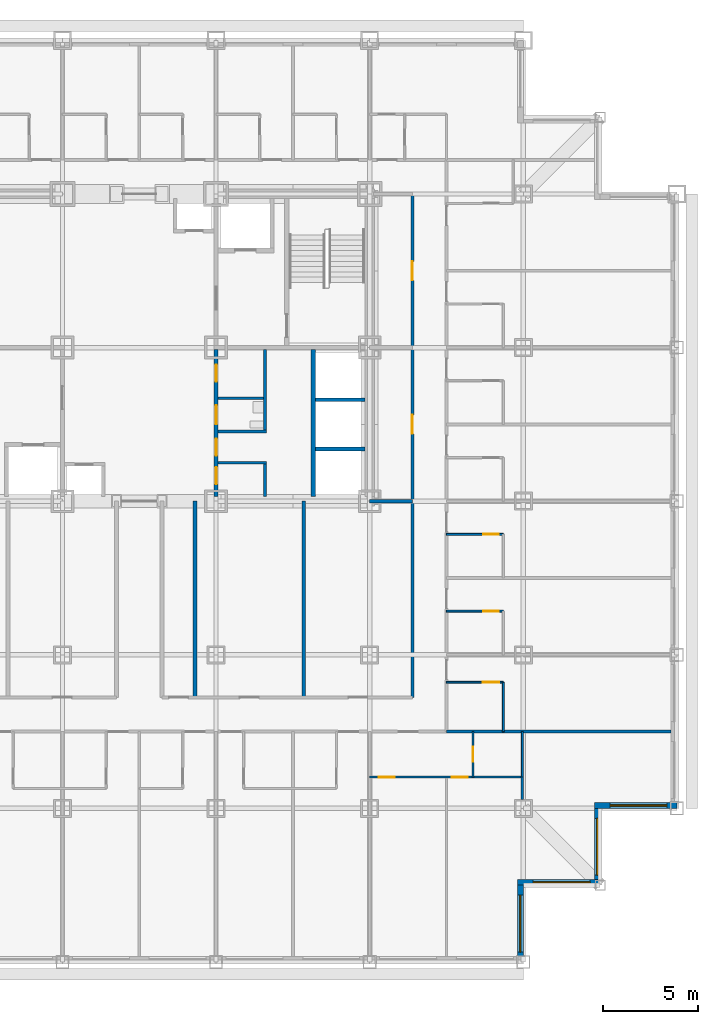
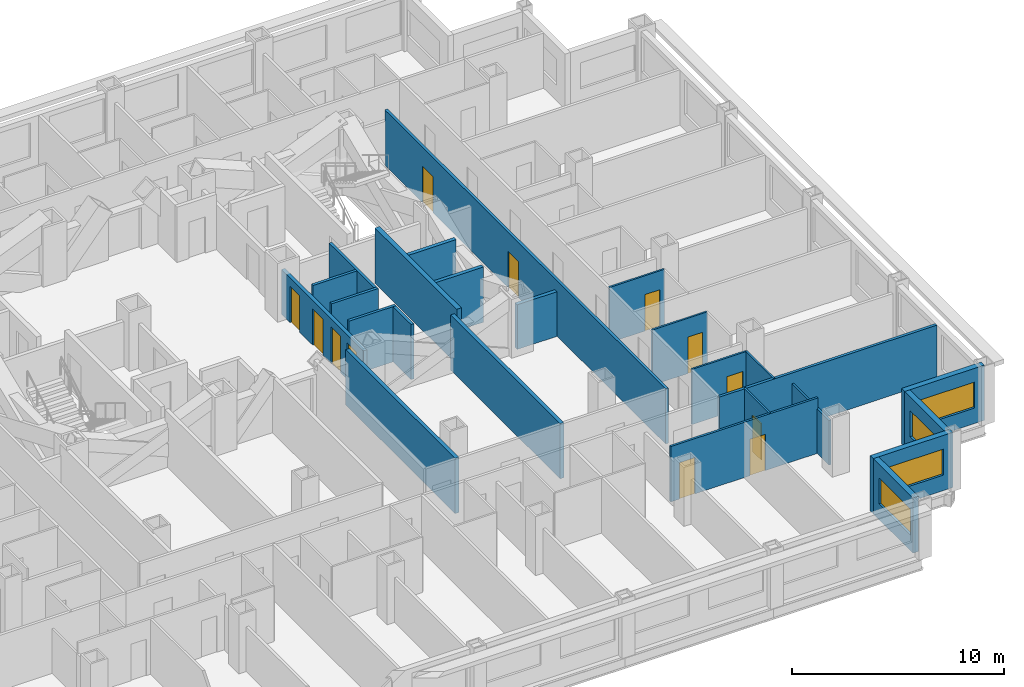
# One storey, part 6 of 12: 26 walls, 12 doors, 4 windows, 16 openings.
"""IFC4 building model written with IfcOpenShell, lengths in metres."""

from ifc_helpers import new_model, si_unit, direction, frame, frame_2d, origin, place, context, subcontext, project, spatial, rectangle, extrude, material, layer, layer_set, type_object, element, fill, save


model = new_model("IFC4")

# Units and contexts
model_context = context("Model", 3, precision=1e-05, world=origin(), true_north=direction((0.0, 1.0)))
body_context = subcontext(model_context, "Body", "Model", "MODEL_VIEW")
ifc_project = project(units=[si_unit("LENGTHUNIT", "METRE"), si_unit("AREAUNIT", "SQUARE_METRE"), si_unit("VOLUMEUNIT", "CUBIC_METRE"), si_unit("PLANEANGLEUNIT", "RADIAN"), si_unit("MASSUNIT", "GRAM", prefix="KILO")], contexts=[model_context])

# Site, building, storey
site_placement = place(None, origin())
site = spatial("IfcSite", under=ifc_project, at=site_placement, CompositionType="ELEMENT")
building_placement = place(site_placement, origin())
building = spatial("IfcBuilding", under=site, at=building_placement, Name="Kopane Lantern Tower", CompositionType="ELEMENT")
storey_placement = place(building_placement, frame((0.0, 0.0, 53.39990234375)))
storey = spatial("IfcBuildingStorey", under=building, at=storey_placement, Name="L12", CompositionType="ELEMENT", Elevation=53.39990234375)

# Wall, openings, doors
ifc_material_1 = material(Name="Gypsum board on steel studs", Category="steel")
ifc_layer_1 = layer(ifc_material_1, 0.1201171875)
ifc_layer_set_1 = layer_set([ifc_layer_1], Name="APARTMENT INTERNAL WALL 120")
wall_type_1 = type_object("IfcWallType", Name="APARTMENT INTERNAL WALL 120", PredefinedType="PARTITIONING", material=ifc_layer_set_1)
wall_1_placement = place(storey_placement, frame((40.5, 9.75, 0.0), z_axis=(0.0, 0.0, 1.0), x_axis=(1.0, 0.0, 0.0)))
wall_1 = element("IfcWall", 1, at=wall_1_placement, inside=storey, type_object=wall_type_1, Name="Apartment Internal Wall 120 L12", PredefinedType="PARTITIONING", context=body_context, shape_type="SweptSolid", body=[
    extrude(rectangle(XDim=8.050048828125, YDim=0.1201171875, at=frame_2d((4.02490234375, 0.0))), origin(), (0.0, 0.0, 1.0), 3.190185546875),
])
opening_1_placement = place(wall_1_placement, frame((0.47509765625, 0.0, 0.0)))
opening_1 = element("IfcOpeningElement", 2, at=opening_1_placement, cuts=wall_1, Name="Opening L12-067", PredefinedType="OPENING", context=body_context, shape_type="SweptSolid", body=[
    extrude(rectangle(XDim=0.85009765625, YDim=2.10009765625, at=frame_2d((0.425048828125, 1.050048828125))), frame((0.0, 0.070068359375, 0.0), z_axis=(0.0, -1.0, 0.0), x_axis=(1.0, 0.0, 0.0)), (0.0, 0.0, 1.0), 0.14013671875),
])
opening_2_placement = place(wall_1_placement, frame((4.324951171875, 0.0, 0.0)))
opening_2 = element("IfcOpeningElement", 3, at=opening_2_placement, cuts=wall_1, Name="Opening L12-069", PredefinedType="OPENING", context=body_context, shape_type="SweptSolid", body=[
    extrude(rectangle(XDim=0.85009765625, YDim=2.10009765625, at=frame_2d((0.425048828125, 1.050048828125))), frame((0.0, 0.070068359375, 0.0), z_axis=(0.0, -1.0, 0.0), x_axis=(1.0, 0.0, 0.0)), (0.0, 0.0, 1.0), 0.14013671875),
])
ifc_material_2 = material(Name="Timber door set", Category="wood")
door_type_1 = type_object("IfcDoorType", Name="DOOR D4 850x2100", OperationType="SINGLE_SWING_LEFT", PredefinedType="DOOR", material=ifc_material_2)
door_1_placement = place(opening_1_placement, origin())
door_1 = element("IfcDoor", 4, at=door_1_placement, inside=storey, type_object=door_type_1, Name="Door L12-067", OperationType="SINGLE_SWING_LEFT", OverallHeight=2.10009765625, OverallWidth=0.85009765625, PredefinedType="DOOR", context=body_context, shape_type="SweptSolid", body=[
    extrude(rectangle(XDim=0.85009765625, YDim=2.10009765625, at=frame_2d((0.425048828125, 1.050048828125))), frame((0.0, 0.02490234375, 0.0), z_axis=(0.0, -1.0, 0.0), x_axis=(1.0, 0.0, 0.0)), (0.0, 0.0, 1.0), 0.050048828125),
])
fill(opening_1, door_1)
door_2_placement = place(opening_2_placement, origin())
door_2 = element("IfcDoor", 5, at=door_2_placement, inside=storey, type_object=door_type_1, Name="Door L12-069", OperationType="SINGLE_SWING_RIGHT", OverallHeight=2.10009765625, OverallWidth=0.85009765625, PredefinedType="DOOR", context=body_context, shape_type="SweptSolid", body=[
    extrude(rectangle(XDim=0.85009765625, YDim=2.10009765625, at=frame_2d((0.425048828125, 1.050048828125))), frame((0.0, 0.02490234375, 0.0), z_axis=(0.0, -1.0, 0.0), x_axis=(1.0, 0.0, 0.0)), (0.0, 0.0, 1.0), 0.050048828125),
])
fill(opening_2, door_2)

# Walls
wall_2_placement = place(storey_placement, frame((48.550048828125, 9.75, 0.0), z_axis=(0.0, 0.0, 1.0), x_axis=(0.0, -1.0, 0.0)))
element("IfcWall", 6, at=wall_2_placement, inside=storey, type_object=wall_type_1, Name="Apartment Internal Wall 120 L12", PredefinedType="PARTITIONING", context=body_context, shape_type="SweptSolid", body=[
    extrude(rectangle(XDim=1.175048828125, YDim=0.1201171875, at=frame_2d((0.58740234375, 0.0))), origin(), (0.0, 0.0, 1.0), 2.577880859375),
])
ifc_material_3 = material(Name="Moisture-resistant board on steel studs", Category="steel")
ifc_layer_2 = layer(ifc_material_3, 0.10009765625)
ifc_layer_set_2 = layer_set([ifc_layer_2], Name="BATHROOM WALL 100")
wall_type_2 = type_object("IfcWallType", Name="BATHROOM WALL 100", PredefinedType="PARTITIONING", material=ifc_layer_set_2)
wall_3_placement = place(storey_placement, frame((47.550048828125, 12.14990234375, 0.0), z_axis=(0.0, 0.0, 1.0), x_axis=(0.0, 1.0, 0.0)))
element("IfcWall", 7, at=wall_3_placement, inside=storey, type_object=wall_type_2, Name="Bathroom Wall 100 L12", PredefinedType="PARTITIONING", context=body_context, shape_type="SweptSolid", body=[
    extrude(rectangle(XDim=2.60009765625, YDim=0.10009765625, at=frame_2d((1.300048828125, 0.0))), origin(), (0.0, 0.0, 1.0), 3.190185546875),
])

# Wall, opening, door
wall_4_placement = place(storey_placement, frame((44.550048828125, 14.75, 0.0), z_axis=(0.0, 0.0, 1.0), x_axis=(1.0, 0.0, 0.0)))
wall_4 = element("IfcWall", 8, at=wall_4_placement, inside=storey, type_object=wall_type_2, Name="Bathroom Wall 100 L12", PredefinedType="PARTITIONING", context=body_context, shape_type="SweptSolid", body=[
    extrude(rectangle(XDim=3.0, YDim=0.10009765625, at=frame_2d((1.5, 0.0))), origin(), (0.0, 0.0, 1.0), 3.190185546875),
])
opening_3_placement = place(wall_4_placement, frame((1.925048828125, 0.0, 0.0)))
opening_3 = element("IfcOpeningElement", 9, at=opening_3_placement, cuts=wall_4, Name="Opening L12-048", PredefinedType="OPENING", context=body_context, shape_type="SweptSolid", body=[
    extrude(rectangle(XDim=0.85009765625, YDim=2.10009765625, at=frame_2d((0.425048828125, 1.050048828125))), frame((0.0, 0.06005859375, 0.0), z_axis=(0.0, -1.0, 0.0), x_axis=(1.0, 0.0, 0.0)), (0.0, 0.0, 1.0), 0.1201171875),
])
door_3_placement = place(opening_3_placement, origin())
door_3 = element("IfcDoor", 10, at=door_3_placement, inside=storey, type_object=door_type_1, Name="Door L12-048", OperationType="SINGLE_SWING_LEFT", OverallHeight=2.10009765625, OverallWidth=0.85009765625, PredefinedType="DOOR", context=body_context, shape_type="SweptSolid", body=[
    extrude(rectangle(XDim=0.85009765625, YDim=2.10009765625, at=frame_2d((0.425048828125, 1.050048828125))), frame((0.0, 0.02490234375, 0.0), z_axis=(0.0, -1.0, 0.0), x_axis=(1.0, 0.0, 0.0)), (0.0, 0.0, 1.0), 0.050048828125),
])
fill(opening_3, door_3)

wall_5_placement = place(storey_placement, frame((44.550048828125, 18.5, 0.0), z_axis=(0.0, 0.0, 1.0), x_axis=(1.0, 0.0, 0.0)))
wall_5 = element("IfcWall", 11, at=wall_5_placement, inside=storey, type_object=wall_type_2, Name="Bathroom Wall 100 L12", PredefinedType="PARTITIONING", context=body_context, shape_type="SweptSolid", body=[
    extrude(rectangle(XDim=3.0, YDim=0.10009765625, at=frame_2d((1.5, 0.0))), origin(), (0.0, 0.0, 1.0), 3.190185546875),
])
opening_4_placement = place(wall_5_placement, frame((1.949951171875, 0.0, 0.0)))
opening_4 = element("IfcOpeningElement", 12, at=opening_4_placement, cuts=wall_5, Name="Opening L12-050", PredefinedType="OPENING", context=body_context, shape_type="SweptSolid", body=[
    extrude(rectangle(XDim=0.800048828125, YDim=2.10009765625, at=frame_2d((0.39990234375, 1.050048828125))), frame((0.0, 0.06005859375, 0.0), z_axis=(0.0, -1.0, 0.0), x_axis=(1.0, 0.0, 0.0)), (0.0, 0.0, 1.0), 0.1201171875),
])
ifc_material_4 = material(Name="Timber door set", Category="wood")
door_type_2 = type_object("IfcDoorType", Name="DOOR D2 800x2100", OperationType="SINGLE_SWING_LEFT", PredefinedType="DOOR", material=ifc_material_4)
door_4_placement = place(opening_4_placement, origin())
door_4 = element("IfcDoor", 13, at=door_4_placement, inside=storey, type_object=door_type_2, Name="Door L12-050", OperationType="SINGLE_SWING_LEFT", OverallHeight=2.10009765625, OverallWidth=0.800048828125, PredefinedType="DOOR", context=body_context, shape_type="SweptSolid", body=[
    extrude(rectangle(XDim=0.800048828125, YDim=2.10009765625, at=frame_2d((0.39990234375, 1.050048828125))), frame((0.0, 0.02490234375, 0.0), z_axis=(0.0, -1.0, 0.0), x_axis=(1.0, 0.0, 0.0)), (0.0, 0.0, 1.0), 0.050048828125),
])
fill(opening_4, door_4)

wall_6_placement = place(storey_placement, frame((44.550048828125, 22.550048828125, 0.0), z_axis=(0.0, 0.0, 1.0), x_axis=(1.0, 0.0, 0.0)))
wall_6 = element("IfcWall", 14, at=wall_6_placement, inside=storey, type_object=wall_type_2, Name="Bathroom Wall 100 L12", PredefinedType="PARTITIONING", context=body_context, shape_type="SweptSolid", body=[
    extrude(rectangle(XDim=3.0, YDim=0.10009765625, at=frame_2d((1.5, 0.0))), origin(), (0.0, 0.0, 1.0), 3.190185546875),
])
opening_5_placement = place(wall_6_placement, frame((1.949951171875, 0.0, 0.0)))
opening_5 = element("IfcOpeningElement", 15, at=opening_5_placement, cuts=wall_6, Name="Opening L12-052", PredefinedType="OPENING", context=body_context, shape_type="SweptSolid", body=[
    extrude(rectangle(XDim=0.800048828125, YDim=2.10009765625, at=frame_2d((0.39990234375, 1.050048828125))), frame((0.0, 0.06005859375, 0.0), z_axis=(0.0, -1.0, 0.0), x_axis=(1.0, 0.0, 0.0)), (0.0, 0.0, 1.0), 0.1201171875),
])
door_5_placement = place(opening_5_placement, origin())
door_5 = element("IfcDoor", 16, at=door_5_placement, inside=storey, type_object=door_type_2, Name="Door L12-052", OperationType="SINGLE_SWING_LEFT", OverallHeight=2.10009765625, OverallWidth=0.800048828125, PredefinedType="DOOR", context=body_context, shape_type="SweptSolid", body=[
    extrude(rectangle(XDim=0.800048828125, YDim=2.10009765625, at=frame_2d((0.39990234375, 1.050048828125))), frame((0.0, 0.02490234375, 0.0), z_axis=(0.0, -1.0, 0.0), x_axis=(1.0, 0.0, 0.0)), (0.0, 0.0, 1.0), 0.050048828125),
])
fill(opening_5, door_5)

wall_7_placement = place(storey_placement, frame((45.949951171875, 12.14990234375, 0.0), z_axis=(0.0, 0.0, 1.0), x_axis=(0.0, -1.0, 0.0)))
wall_7 = element("IfcWall", 17, at=wall_7_placement, inside=storey, type_object=wall_type_2, Name="Bathroom Wall 100 L12", PredefinedType="PARTITIONING", context=body_context, shape_type="SweptSolid", body=[
    extrude(rectangle(XDim=2.39990234375, YDim=0.10009765625, at=frame_2d((1.199951171875, 0.0))), origin(), (0.0, 0.0, 1.0), 3.190185546875),
])
opening_6_placement = place(wall_7_placement, frame((0.800048828125, 0.0, 0.0)))
opening_6 = element("IfcOpeningElement", 18, at=opening_6_placement, cuts=wall_7, Name="Opening L12-068", PredefinedType="OPENING", context=body_context, shape_type="SweptSolid", body=[
    extrude(rectangle(XDim=0.800048828125, YDim=2.10009765625, at=frame_2d((0.39990234375, 1.050048828125))), frame((0.0, 0.06005859375, 0.0), z_axis=(0.0, -1.0, 0.0), x_axis=(1.0, 0.0, 0.0)), (0.0, 0.0, 1.0), 0.1201171875),
])
door_6_placement = place(opening_6_placement, origin())
door_6 = element("IfcDoor", 19, at=door_6_placement, inside=storey, type_object=door_type_2, Name="Door L12-068", OperationType="SINGLE_SWING_LEFT", OverallHeight=2.10009765625, OverallWidth=0.800048828125, PredefinedType="DOOR", context=body_context, shape_type="SweptSolid", body=[
    extrude(rectangle(XDim=0.800048828125, YDim=2.10009765625, at=frame_2d((0.39990234375, 1.050048828125))), frame((0.0, 0.02490234375, 0.0), z_axis=(0.0, -1.0, 0.0), x_axis=(1.0, 0.0, 0.0)), (0.0, 0.0, 1.0), 0.050048828125),
])
fill(opening_6, door_6)

# Walls
wall_8_placement = place(storey_placement, frame((48.550048828125, 12.14990234375, 0.0), z_axis=(0.0, 0.0, 1.0), x_axis=(0.0, -1.0, 0.0)))
element("IfcWall", 20, at=wall_8_placement, inside=storey, type_object=wall_type_2, Name="Bathroom Wall 100 L12", PredefinedType="PARTITIONING", context=body_context, shape_type="SweptSolid", body=[
    extrude(rectangle(XDim=2.39990234375, YDim=0.10009765625, at=frame_2d((1.199951171875, 0.0))), origin(), (0.0, 0.0, 1.0), 2.577880859375),
])
ifc_material_5 = material(Name="Gypsum partition EI 60", Category="gypsum")
ifc_layer_3 = layer(ifc_material_5, 0.14990234375)
ifc_layer_set_3 = layer_set([ifc_layer_3], Name="CORE ROOM PARTITION 150 EI 60")
wall_type_3 = type_object("IfcWallType", Name="CORE ROOM PARTITION 150 EI 60", PredefinedType="PARTITIONING", material=ifc_layer_set_3)
for number, where, z_axis, x_axis, name in (
    (21, (32.5, 26.324951171875, 0.0), (0.0, 0.0, 1.0), (1.0, 0.0, 0.0), "Core room partition L12 E1"),
    (22, (32.5, 27.97509765625, 0.0), (0.0, 0.0, 1.0), (1.0, 0.0, 0.0), "Core room partition L12 E2"),
):
    element("IfcWall", number, at=place(storey_placement, frame(where, z_axis=z_axis, x_axis=x_axis)), inside=storey, type_object=wall_type_3, Name=name, PredefinedType="PARTITIONING", context=body_context, shape_type="SweptSolid", body=[
        extrude(rectangle(XDim=2.550048828125, YDim=0.14990234375, at=frame_2d((1.27490234375, 0.0))), origin(), (0.0, 0.0, 1.0), 3.190185546875),
    ])
wall_9_placement = place(storey_placement, frame((32.5, 29.72509765625, 0.0), z_axis=(0.0, 0.0, 1.0), x_axis=(1.0, 0.0, 0.0)))
element("IfcWall", 23, at=wall_9_placement, inside=storey, type_object=wall_type_3, Name="Core room partition L12 E3", PredefinedType="PARTITIONING", context=body_context, shape_type="SweptSolid", body=[
    extrude(rectangle(XDim=2.39990234375, YDim=0.14990234375, at=frame_2d((1.199951171875, 0.0))), origin(), (0.0, 0.0, 1.0), 3.190185546875),
])
wall_10_placement = place(storey_placement, frame((34.97509765625, 24.550048828125, 0.0), z_axis=(0.0, 0.0, 1.0), x_axis=(0.0, 1.0, 0.0)))
element("IfcWall", 24, at=wall_10_placement, inside=storey, type_object=wall_type_3, Name="Core room partition L12 EB0", PredefinedType="PARTITIONING", context=body_context, shape_type="SweptSolid", body=[
    extrude(rectangle(XDim=1.699951171875, YDim=0.14990234375, at=frame_2d((0.85009765625, 0.0))), origin(), (0.0, 0.0, 1.0), 3.190185546875),
])
wall_11_placement = place(storey_placement, frame((34.97509765625, 28.050048828125, 0.0), z_axis=(0.0, 0.0, 1.0), x_axis=(0.0, 1.0, 0.0)))
element("IfcWall", 25, at=wall_11_placement, inside=storey, type_object=wall_type_3, Name="Core room partition L12 EB1", PredefinedType="PARTITIONING", context=body_context, shape_type="SweptSolid", body=[
    extrude(rectangle(XDim=4.25, YDim=0.14990234375, at=frame_2d((2.125, 0.0))), origin(), (0.0, 0.0, 1.0), 3.190185546875),
])

# Wall, openings, doors
ifc_material_6 = material(Name="Gypsum partition EI 60", Category="gypsum")
ifc_layer_4 = layer(ifc_material_6, 0.199951171875)
ifc_layer_set_4 = layer_set([ifc_layer_4], Name="CORE ROOM WALL 200 EI 60")
wall_type_4 = type_object("IfcWallType", Name="CORE ROOM WALL 200 EI 60", PredefinedType="PARTITIONING", material=ifc_layer_set_4)
wall_12_placement = place(storey_placement, frame((32.39990234375, 24.550048828125, 0.0), z_axis=(0.0, 0.0, 1.0), x_axis=(0.0, 1.0, 0.0)))
wall_12 = element("IfcWall", 26, at=wall_12_placement, inside=storey, type_object=wall_type_4, Name="Core room wall L12 XE", PredefinedType="PARTITIONING", context=body_context, shape_type="SweptSolid", body=[
    extrude(rectangle(XDim=7.75, YDim=0.199951171875, at=frame_2d((3.875, 0.0))), origin(), (0.0, 0.0, 1.0), 2.577880859375),
])
opening_7_placement = place(wall_12_placement, frame((0.64990234375, 0.0, 0.0)))
opening_7 = element("IfcOpeningElement", 27, at=opening_7_placement, cuts=wall_12, Name="Opening 12.C20", PredefinedType="OPENING", context=body_context, shape_type="SweptSolid", body=[
    extrude(rectangle(XDim=0.89990234375, YDim=2.10009765625, at=frame_2d((0.449951171875, 1.050048828125))), frame((0.0, 0.10986328125, 0.0), z_axis=(0.0, -1.0, 0.0), x_axis=(1.0, 0.0, 0.0)), (0.0, 0.0, 1.0), 0.219970703125),
])
opening_8_placement = place(wall_12_placement, frame((2.14990234375, 0.0, 0.0)))
opening_8 = element("IfcOpeningElement", 28, at=opening_8_placement, cuts=wall_12, Name="Opening 12.C21", PredefinedType="OPENING", context=body_context, shape_type="SweptSolid", body=[
    extrude(rectangle(XDim=0.89990234375, YDim=2.10009765625, at=frame_2d((0.449951171875, 1.050048828125))), frame((0.0, 0.10986328125, 0.0), z_axis=(0.0, -1.0, 0.0), x_axis=(1.0, 0.0, 0.0)), (0.0, 0.0, 1.0), 0.219970703125),
])
opening_9_placement = place(wall_12_placement, frame((3.800048828125, 0.0, 0.0)))
opening_9 = element("IfcOpeningElement", 29, at=opening_9_placement, cuts=wall_12, Name="Opening 12.C22", PredefinedType="OPENING", context=body_context, shape_type="SweptSolid", body=[
    extrude(rectangle(XDim=1.0, YDim=2.10009765625, at=frame_2d((0.5, 1.050048828125))), frame((0.0, 0.10986328125, 0.0), z_axis=(0.0, -1.0, 0.0), x_axis=(1.0, 0.0, 0.0)), (0.0, 0.0, 1.0), 0.219970703125),
])
opening_10_placement = place(wall_12_placement, frame((6.050048828125, 0.0, 0.0)))
opening_10 = element("IfcOpeningElement", 30, at=opening_10_placement, cuts=wall_12, Name="Opening 12.C23", PredefinedType="OPENING", context=body_context, shape_type="SweptSolid", body=[
    extrude(rectangle(XDim=0.89990234375, YDim=2.10009765625, at=frame_2d((0.449951171875, 1.050048828125))), frame((0.0, 0.10986328125, 0.0), z_axis=(0.0, -1.0, 0.0), x_axis=(1.0, 0.0, 0.0)), (0.0, 0.0, 1.0), 0.219970703125),
])
ifc_material_7 = material(Name="Steel door set", Category="steel")
door_type_3 = type_object("IfcDoorType", Name="CORE ROOM DOOR 1000x2100 FD30S", OperationType="SINGLE_SWING_RIGHT", PredefinedType="DOOR", material=ifc_material_7)
door_7_placement = place(opening_9_placement, origin())
door_7 = element("IfcDoor", 31, at=door_7_placement, inside=storey, type_object=door_type_3, Name="Door Staff WC L12", OperationType="SINGLE_SWING_RIGHT", OverallHeight=2.10009765625, OverallWidth=1.0, PredefinedType="DOOR", context=body_context, shape_type="SweptSolid", body=[
    extrude(rectangle(XDim=1.0, YDim=2.10009765625, at=frame_2d((0.5, 1.050048828125))), frame((0.0, 0.02490234375, 0.0), z_axis=(0.0, -1.0, 0.0), x_axis=(1.0, 0.0, 0.0)), (0.0, 0.0, 1.0), 0.050048828125),
])
fill(opening_9, door_7)
ifc_material_8 = material(Name="Steel door set", Category="steel")
door_type_4 = type_object("IfcDoorType", Name="CORE ROOM DOOR 900x2100 FD60", OperationType="SINGLE_SWING_LEFT", PredefinedType="DOOR", material=ifc_material_8)
door_8_placement = place(opening_7_placement, origin())
door_8 = element("IfcDoor", 32, at=door_8_placement, inside=storey, type_object=door_type_4, Name="Door Cleaner store L12", OperationType="SINGLE_SWING_LEFT", OverallHeight=2.10009765625, OverallWidth=0.89990234375, PredefinedType="DOOR", context=body_context, shape_type="SweptSolid", body=[
    extrude(rectangle(XDim=0.89990234375, YDim=2.10009765625, at=frame_2d((0.449951171875, 1.050048828125))), frame((0.0, 0.02490234375, 0.0), z_axis=(0.0, -1.0, 0.0), x_axis=(1.0, 0.0, 0.0)), (0.0, 0.0, 1.0), 0.050048828125),
])
fill(opening_7, door_8)
door_9_placement = place(opening_8_placement, origin())
door_9 = element("IfcDoor", 33, at=door_9_placement, inside=storey, type_object=door_type_4, Name="Door Housekeeping store L12", OperationType="SINGLE_SWING_LEFT", OverallHeight=2.10009765625, OverallWidth=0.89990234375, PredefinedType="DOOR", context=body_context, shape_type="SweptSolid", body=[
    extrude(rectangle(XDim=0.89990234375, YDim=2.10009765625, at=frame_2d((0.449951171875, 1.050048828125))), frame((0.0, 0.02490234375, 0.0), z_axis=(0.0, -1.0, 0.0), x_axis=(1.0, 0.0, 0.0)), (0.0, 0.0, 1.0), 0.050048828125),
])
fill(opening_8, door_9)
door_10_placement = place(opening_10_placement, origin())
door_10 = element("IfcDoor", 34, at=door_10_placement, inside=storey, type_object=door_type_4, Name="Door IT room L12", OperationType="SINGLE_SWING_LEFT", OverallHeight=2.10009765625, OverallWidth=0.89990234375, PredefinedType="DOOR", context=body_context, shape_type="SweptSolid", body=[
    extrude(rectangle(XDim=0.89990234375, YDim=2.10009765625, at=frame_2d((0.449951171875, 1.050048828125))), frame((0.0, 0.02490234375, 0.0), z_axis=(0.0, -1.0, 0.0), x_axis=(1.0, 0.0, 0.0)), (0.0, 0.0, 1.0), 0.050048828125),
])
fill(opening_10, door_10)

# Wall
ifc_material_9 = material(Name="Gypsum shaft wall EI 120", Category="gypsum")
ifc_layer_5 = layer(ifc_material_9, 0.25)
ifc_layer_set_5 = layer_set([ifc_layer_5], Name="CORE SHAFT WALL 250 EI 120")
wall_type_5 = type_object("IfcWallType", Name="CORE SHAFT WALL 250 EI 120", PredefinedType="SOLIDWALL", material=ifc_layer_set_5)
wall_13_placement = place(storey_placement, frame((37.52490234375, 24.550048828125, 0.0), z_axis=(0.0, 0.0, 1.0), x_axis=(0.0, 1.0, 0.0)))
element("IfcWall", 35, at=wall_13_placement, inside=storey, type_object=wall_type_5, Name="Core shaft wall L12 XLR", PredefinedType="SOLIDWALL", context=body_context, shape_type="SweptSolid", body=[
    extrude(rectangle(XDim=7.75, YDim=0.25, at=frame_2d((3.875, 0.0))), origin(), (0.0, 0.0, 1.0), 3.190185546875),
])

# Wall, openings, doors
ifc_material_10 = material(Name="Gypsum board on steel studs", Category="steel")
ifc_layer_6 = layer(ifc_material_10, 0.14990234375)
ifc_layer_set_6 = layer_set([ifc_layer_6], Name="CORRIDOR WALL 150 EI 60")
wall_type_6 = type_object("IfcWallType", Name="CORRIDOR WALL 150 EI 60", PredefinedType="PARTITIONING", material=ifc_layer_set_6)
wall_14_placement = place(storey_placement, frame((42.75, 13.949951171875, 0.0), z_axis=(0.0, 0.0, 1.0), x_axis=(0.0, 1.0, 0.0)))
wall_14 = element("IfcWall", 36, at=wall_14_placement, inside=storey, type_object=wall_type_6, Name="Corridor Wall 150 Ei 60 L12", PredefinedType="PARTITIONING", context=body_context, shape_type="SweptSolid", body=[
    extrude(rectangle(XDim=26.550048828125, YDim=0.14990234375, at=frame_2d((13.27490234375, 0.0))), origin(), (0.0, 0.0, 1.0), 3.190185546875),
])
opening_11_placement = place(wall_14_placement, frame((13.89990234375, 0.0, 0.0)))
opening_11 = element("IfcOpeningElement", 37, at=opening_11_placement, cuts=wall_14, Name="Opening L12-003", PredefinedType="OPENING", context=body_context, shape_type="SweptSolid", body=[
    extrude(rectangle(XDim=1.0, YDim=2.10009765625, at=frame_2d((0.5, 1.050048828125))), frame((0.0, 0.0849609375, 0.0), z_axis=(0.0, -1.0, 0.0), x_axis=(1.0, 0.0, 0.0)), (0.0, 0.0, 1.0), 0.169921875),
])
opening_12_placement = place(wall_14_placement, frame((22.0, 0.0, 0.0)))
opening_12 = element("IfcOpeningElement", 38, at=opening_12_placement, cuts=wall_14, Name="Opening L12-004", PredefinedType="OPENING", context=body_context, shape_type="SweptSolid", body=[
    extrude(rectangle(XDim=1.0, YDim=2.10009765625, at=frame_2d((0.5, 1.050048828125))), frame((0.0, 0.0849609375, 0.0), z_axis=(0.0, -1.0, 0.0), x_axis=(1.0, 0.0, 0.0)), (0.0, 0.0, 1.0), 0.169921875),
])
ifc_material_11 = material(Name="Steel door set", Category="steel")
door_type_5 = type_object("IfcDoorType", Name="DOOR D5 1000x2100 FD60", OperationType="SINGLE_SWING_LEFT", PredefinedType="DOOR", material=ifc_material_11)
door_11_placement = place(opening_11_placement, origin())
door_11 = element("IfcDoor", 39, at=door_11_placement, inside=storey, type_object=door_type_5, Name="Door L12-003", OperationType="SINGLE_SWING_LEFT", OverallHeight=2.10009765625, OverallWidth=1.0, PredefinedType="DOOR", context=body_context, shape_type="SweptSolid", body=[
    extrude(rectangle(XDim=1.0, YDim=2.10009765625, at=frame_2d((0.5, 1.050048828125))), frame((0.0, 0.02490234375, 0.0), z_axis=(0.0, -1.0, 0.0), x_axis=(1.0, 0.0, 0.0)), (0.0, 0.0, 1.0), 0.050048828125),
])
fill(opening_11, door_11)
door_12_placement = place(opening_12_placement, origin())
door_12 = element("IfcDoor", 40, at=door_12_placement, inside=storey, type_object=door_type_5, Name="Door L12-004", OperationType="SINGLE_SWING_RIGHT", OverallHeight=2.10009765625, OverallWidth=1.0, PredefinedType="DOOR", context=body_context, shape_type="SweptSolid", body=[
    extrude(rectangle(XDim=1.0, YDim=2.10009765625, at=frame_2d((0.5, 1.050048828125))), frame((0.0, 0.02490234375, 0.0), z_axis=(0.0, -1.0, 0.0), x_axis=(1.0, 0.0, 0.0)), (0.0, 0.0, 1.0), 0.050048828125),
])
fill(opening_12, door_12)

# Wall
ifc_material_12 = material(Name="Gypsum board on steel studs", Category="steel")
ifc_layer_7 = layer(ifc_material_12, 0.14990234375)
ifc_layer_set_7 = layer_set([ifc_layer_7], Name="DEMISING WALL 150 EI 60")
wall_type_7 = type_object("IfcWallType", Name="DEMISING WALL 150 EI 60", PredefinedType="PARTITIONING", material=ifc_layer_set_7)
wall_15_placement = place(storey_placement, frame((44.550048828125, 12.14990234375, 0.0), z_axis=(0.0, 0.0, 1.0), x_axis=(1.0, 0.0, 0.0)))
element("IfcWall", 41, at=wall_15_placement, inside=storey, type_object=wall_type_7, Name="Demising Wall 150 Ei 60 L12", PredefinedType="PARTITIONING", context=body_context, shape_type="SweptSolid", body=[
    extrude(rectangle(XDim=11.849853515625, YDim=0.14990234375, at=frame_2d((5.9248046875, 0.0))), origin(), (0.0, 0.0, 1.0), 3.190185546875),
])

# Wall, opening, window
ifc_material_13 = material(Name="Terracotta rainscreen on light steel framing", Category="masonry")
ifc_layer_8 = layer(ifc_material_13, 0.300048828125)
ifc_layer_set_8 = layer_set([ifc_layer_8], Name="EXTERNAL WALL EW1 300 TERRACOTTA")
wall_type_8 = type_object("IfcWallType", Name="EXTERNAL WALL EW1 300 TERRACOTTA", PredefinedType="SOLIDWALL", material=ifc_layer_set_8)
wall_16_placement = place(storey_placement, frame((48.449951171875, 0.300048828125, 0.0), z_axis=(0.0, 0.0, 1.0), x_axis=(0.0, 1.0, 0.0)))
wall_16 = element("IfcWall", 42, at=wall_16_placement, inside=storey, type_object=wall_type_8, Name="External wall E L12", PredefinedType="SOLIDWALL", context=body_context, shape_type="SweptSolid", body=[
    extrude(rectangle(XDim=3.75, YDim=0.300048828125, at=frame_2d((1.875, 0.0))), origin(), (0.0, 0.0, 1.0), 3.190185546875),
])
opening_13_placement = place(wall_16_placement, frame((0.22509765625, 0.0, 0.89990234375)))
opening_13 = element("IfcOpeningElement", 43, at=opening_13_placement, cuts=wall_16, Name="Opening WR300150", PredefinedType="OPENING", context=body_context, shape_type="SweptSolid", body=[
    extrude(rectangle(XDim=3.0, YDim=1.5, at=frame_2d((1.5, 0.75))), frame((0.0, 0.159912109375, 0.0), z_axis=(0.0, -1.0, 0.0), x_axis=(1.0, 0.0, 0.0)), (0.0, 0.0, 1.0), 0.320068359375),
])
ifc_material_14 = material(Name="Aluminium and clear glass", Category="aluminium")
window_type = type_object("IfcWindowType", Name="RIBBON WINDOW WR300150 3000x1500", PartitioningType="SINGLE_PANEL", PredefinedType="WINDOW", material=ifc_material_14)
window_1_placement = place(opening_13_placement, origin())
window_1 = element("IfcWindow", 44, at=window_1_placement, inside=storey, type_object=window_type, Name="Window E L12", OverallHeight=1.5, OverallWidth=3.0, PartitioningType="SINGLE_PANEL", PredefinedType="WINDOW", context=body_context, shape_type="SweptSolid", body=[
    extrude(rectangle(XDim=3.0, YDim=1.5, at=frame_2d((1.5, 0.75))), frame((0.0, 0.030029296875, 0.0), z_axis=(0.0, -1.0, 0.0), x_axis=(1.0, 0.0, 0.0)), (0.0, 0.0, 1.0), 0.06005859375),
])
fill(opening_13, window_1)

wall_17_placement = place(storey_placement, frame((48.300048828125, 4.199951171875, 0.0), z_axis=(0.0, 0.0, 1.0), x_axis=(1.0, 0.0, 0.0)))
wall_17 = element("IfcWall", 45, at=wall_17_placement, inside=storey, type_object=wall_type_8, Name="External wall S L12", PredefinedType="SOLIDWALL", context=body_context, shape_type="SweptSolid", body=[
    extrude(rectangle(XDim=4.349853515625, YDim=0.300048828125, at=frame_2d((2.1748046875, 0.0))), origin(), (0.0, 0.0, 1.0), 3.190185546875),
])
opening_14_placement = place(wall_17_placement, frame((0.824951171875, 0.0, 0.89990234375)))
opening_14 = element("IfcOpeningElement", 46, at=opening_14_placement, cuts=wall_17, Name="Opening WR300150", PredefinedType="OPENING", context=body_context, shape_type="SweptSolid", body=[
    extrude(rectangle(XDim=3.0, YDim=1.5, at=frame_2d((1.5, 0.75))), frame((0.0, 0.159912109375, 0.0), z_axis=(0.0, -1.0, 0.0), x_axis=(1.0, 0.0, 0.0)), (0.0, 0.0, 1.0), 0.320068359375),
])
window_2_placement = place(opening_14_placement, origin())
window_2 = element("IfcWindow", 47, at=window_2_placement, inside=storey, type_object=window_type, Name="Window S L12", OverallHeight=1.5, OverallWidth=3.0, PartitioningType="SINGLE_PANEL", PredefinedType="WINDOW", context=body_context, shape_type="SweptSolid", body=[
    extrude(rectangle(XDim=3.0, YDim=1.5, at=frame_2d((1.5, 0.75))), frame((0.0, 0.030029296875, 0.0), z_axis=(0.0, -1.0, 0.0), x_axis=(1.0, 0.0, 0.0)), (0.0, 0.0, 1.0), 0.06005859375),
])
fill(opening_14, window_2)

wall_18_placement = place(storey_placement, frame((52.5, 4.35009765625, 0.0), z_axis=(0.0, 0.0, 1.0), x_axis=(0.0, 1.0, 0.0)))
wall_18 = element("IfcWall", 48, at=wall_18_placement, inside=storey, type_object=wall_type_8, Name="External wall E L12", PredefinedType="SOLIDWALL", context=body_context, shape_type="SweptSolid", body=[
    extrude(rectangle(XDim=3.75, YDim=0.300048828125, at=frame_2d((1.875, 0.0))), origin(), (0.0, 0.0, 1.0), 3.190185546875),
])
opening_15_placement = place(wall_18_placement, frame((0.22509765625, 0.0, 0.89990234375)))
opening_15 = element("IfcOpeningElement", 49, at=opening_15_placement, cuts=wall_18, Name="Opening WR300150", PredefinedType="OPENING", context=body_context, shape_type="SweptSolid", body=[
    extrude(rectangle(XDim=3.0, YDim=1.5, at=frame_2d((1.5, 0.75))), frame((0.0, 0.159912109375, 0.0), z_axis=(0.0, -1.0, 0.0), x_axis=(1.0, 0.0, 0.0)), (0.0, 0.0, 1.0), 0.320068359375),
])
window_3_placement = place(opening_15_placement, origin())
window_3 = element("IfcWindow", 50, at=window_3_placement, inside=storey, type_object=window_type, Name="Window E L12", OverallHeight=1.5, OverallWidth=3.0, PartitioningType="SINGLE_PANEL", PredefinedType="WINDOW", context=body_context, shape_type="SweptSolid", body=[
    extrude(rectangle(XDim=3.0, YDim=1.5, at=frame_2d((1.5, 0.75))), frame((0.0, 0.030029296875, 0.0), z_axis=(0.0, -1.0, 0.0), x_axis=(1.0, 0.0, 0.0)), (0.0, 0.0, 1.0), 0.06005859375),
])
fill(opening_15, window_3)

wall_19_placement = place(storey_placement, frame((52.35009765625, 8.25, 0.0), z_axis=(0.0, 0.0, 1.0), x_axis=(1.0, 0.0, 0.0)))
wall_19 = element("IfcWall", 51, at=wall_19_placement, inside=storey, type_object=wall_type_8, Name="External wall S L12", PredefinedType="SOLIDWALL", context=body_context, shape_type="SweptSolid", body=[
    extrude(rectangle(XDim=4.349853515625, YDim=0.300048828125, at=frame_2d((2.1748046875, 0.0))), origin(), (0.0, 0.0, 1.0), 3.190185546875),
])
opening_16_placement = place(wall_19_placement, frame((0.824951171875, 0.0, 0.89990234375)))
opening_16 = element("IfcOpeningElement", 52, at=opening_16_placement, cuts=wall_19, Name="Opening WR300150", PredefinedType="OPENING", context=body_context, shape_type="SweptSolid", body=[
    extrude(rectangle(XDim=3.0, YDim=1.5, at=frame_2d((1.5, 0.75))), frame((0.0, 0.159912109375, 0.0), z_axis=(0.0, -1.0, 0.0), x_axis=(1.0, 0.0, 0.0)), (0.0, 0.0, 1.0), 0.320068359375),
])
window_4_placement = place(opening_16_placement, origin())
window_4 = element("IfcWindow", 53, at=window_4_placement, inside=storey, type_object=window_type, Name="Window S L12", OverallHeight=1.5, OverallWidth=3.0, PartitioningType="SINGLE_PANEL", PredefinedType="WINDOW", context=body_context, shape_type="SweptSolid", body=[
    extrude(rectangle(XDim=3.0, YDim=1.5, at=frame_2d((1.5, 0.75))), frame((0.0, 0.030029296875, 0.0), z_axis=(0.0, -1.0, 0.0), x_axis=(1.0, 0.0, 0.0)), (0.0, 0.0, 1.0), 0.06005859375),
])
fill(opening_16, window_4)

# Walls
ifc_material_15 = material(Name="Concrete masonry", Category="masonry")
ifc_layer_9 = layer(ifc_material_15, 0.199951171875)
ifc_layer_set_9 = layer_set([ifc_layer_9], Name="PLANT ROOM WALL 200 EI 120")
wall_type_9 = type_object("IfcWallType", Name="PLANT ROOM WALL 200 EI 120", PredefinedType="SOLIDWALL", material=ifc_layer_set_9)
for number, where, z_axis, x_axis, name in (
    (54, (31.2890625, 13.949951171875, 0.0), (0.0, 0.0, 1.0), (0.0, 1.0, 0.0), "Plant Room Wall 200 Ei 120 L12"),
    (55, (37.01953125, 13.949951171875, 0.0), (0.0, 0.0, 1.0), (0.0, 1.0, 0.0), "Plant Room Wall 200 Ei 120 L12"),
):
    element("IfcWall", number, at=place(storey_placement, frame(where, z_axis=z_axis, x_axis=x_axis)), inside=storey, type_object=wall_type_9, Name=name, PredefinedType="SOLIDWALL", context=body_context, shape_type="SweptSolid", body=[
        extrude(rectangle(XDim=10.35009765625, YDim=0.199951171875, at=frame_2d((5.175048828125, 0.0))), origin(), (0.0, 0.0, 1.0), 3.190185546875),
    ])
wall_20_placement = place(storey_placement, frame((40.5, 24.300048828125, 0.0), z_axis=(0.0, 0.0, 1.0), x_axis=(1.0, 0.0, 0.0)))
element("IfcWall", 56, at=wall_20_placement, inside=storey, type_object=wall_type_9, Name="Plant Room Wall 200 Ei 120 L12", PredefinedType="SOLIDWALL", context=body_context, shape_type="SweptSolid", body=[
    extrude(rectangle(XDim=2.25, YDim=0.199951171875, at=frame_2d((1.125, 0.0))), origin(), (0.0, 0.0, 1.0), 2.577880859375),
])
ifc_material_16 = material(Name="Gypsum shaft wall EI 120", Category="gypsum")
ifc_layer_10 = layer(ifc_material_16, 0.199951171875)
ifc_layer_set_10 = layer_set([ifc_layer_10], Name="SHAFT WALL 200 EI 120")
wall_type_10 = type_object("IfcWallType", Name="SHAFT WALL 200 EI 120", PredefinedType="SOLIDWALL", material=ifc_layer_set_10)
for number, where, z_axis, x_axis, name in (
    (57, (37.64990234375, 27.050048828125, 0.0), (0.0, 0.0, 1.0), (1.0, 0.0, 0.0), "Core shaft wall L12 YLR12"),
    (58, (37.64990234375, 29.64990234375, 0.0), (0.0, 0.0, 1.0), (1.0, 0.0, 0.0), "Core shaft wall L12 YLR23"),
):
    element("IfcWall", number, at=place(storey_placement, frame(where, z_axis=z_axis, x_axis=x_axis)), inside=storey, type_object=wall_type_10, Name=name, PredefinedType="SOLIDWALL", context=body_context, shape_type="SweptSolid", body=[
        extrude(rectangle(XDim=2.60009765625, YDim=0.199951171875, at=frame_2d((1.300048828125, 0.0))), origin(), (0.0, 0.0, 1.0), 3.190185546875),
    ])

save(model, "model.ifc")
